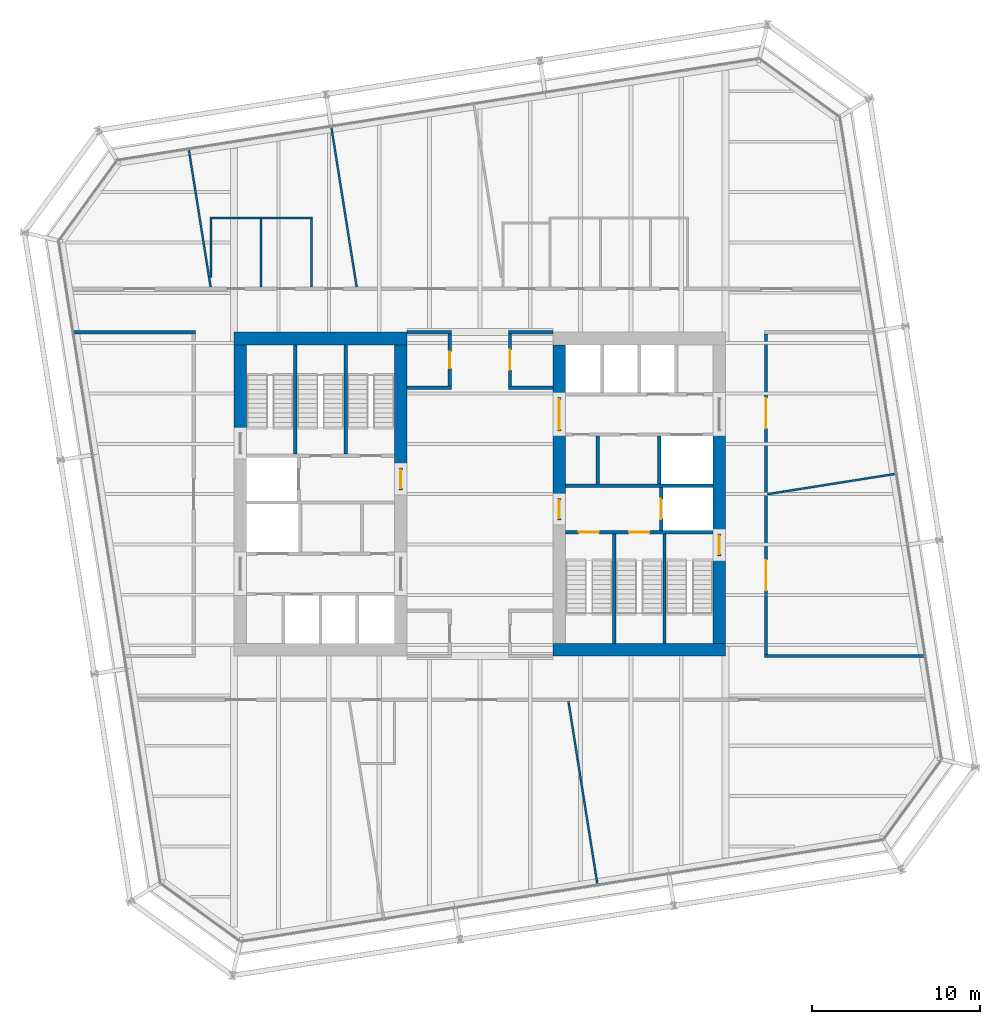
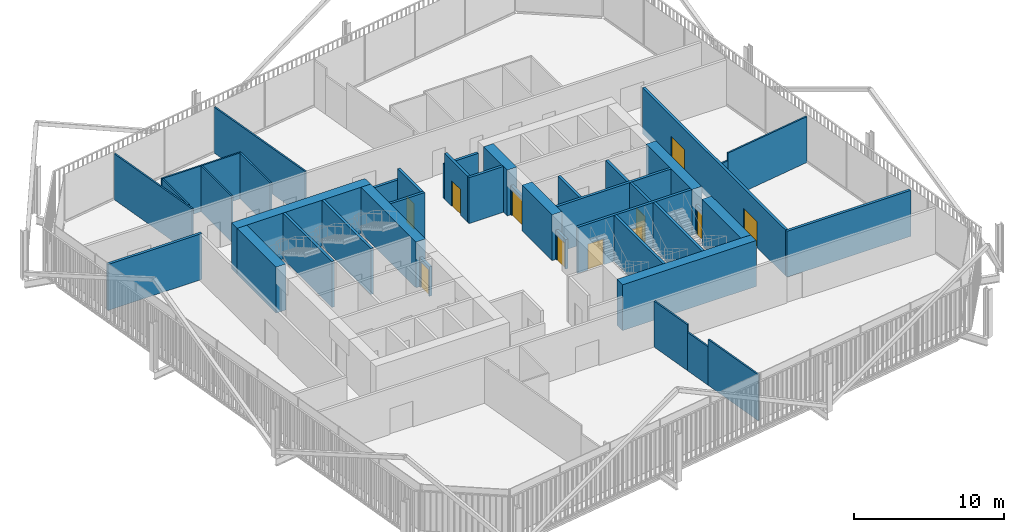
# One storey, part 19 of 22: 41 walls, 11 doors, 11 openings.
"""IFC4 building model written with IfcOpenShell, lengths in metres."""

from ifc_helpers import new_model, si_unit, direction, frame, frame_2d, origin, place, context, subcontext, project, spatial, rectangle, extrude, material, layer, layer_set, type_object, element, fill, save


model = new_model("IFC4")

# Units and contexts
model_context = context("Model", 3, precision=1e-05, world=origin(), true_north=direction((0.0, 1.0)))
body_context = subcontext(model_context, "Body", "Model", "MODEL_VIEW")
ifc_project = project(units=[si_unit("LENGTHUNIT", "METRE"), si_unit("AREAUNIT", "SQUARE_METRE"), si_unit("VOLUMEUNIT", "CUBIC_METRE"), si_unit("PLANEANGLEUNIT", "RADIAN"), si_unit("MASSUNIT", "GRAM", prefix="KILO")], contexts=[model_context])

# Site, building, storey
site_placement = place(None, origin())
site = spatial("IfcSite", under=ifc_project, at=site_placement, CompositionType="ELEMENT")
building_placement = place(site_placement, origin())
building = spatial("IfcBuilding", under=site, at=building_placement, Name="Millrace Tower", CompositionType="ELEMENT")
storey_placement = place(building_placement, frame((0.0, 0.0, 187.800048828125)))
storey = spatial("IfcBuildingStorey", under=building, at=storey_placement, Name="L42", CompositionType="ELEMENT", Elevation=187.800048828125)

# Walls
ifc_material_1 = material(Name="Concrete C70", Category="concrete")
ifc_layer_1 = layer(ifc_material_1, 0.75)
ifc_layer_set_1 = layer_set([ifc_layer_1], Name="Concrete C70")
wall_type_1 = type_object("IfcWallType", Name="Core wall 750 Concrete C70", PredefinedType="SHEAR", material=ifc_layer_set_1)
wall_1_placement = place(storey_placement, frame((-14.64990234375, 9.27490234375, 0.0), z_axis=(0.0, 0.0, 1.0), x_axis=(1.0, 0.0, 0.0)))
element("IfcWall", 1, at=wall_1_placement, inside=storey, type_object=wall_type_1, Name="Core wall W L42", PredefinedType="SHEAR", context=body_context, shape_type="SweptSolid", body=[
    extrude(rectangle(XDim=10.2998046875, YDim=0.75, at=frame_2d((5.14990234375, 0.0))), origin(), (0.0, 0.0, 1.0), 3.739990234375),
])
wall_2_placement = place(storey_placement, frame((-14.27490234375, 3.679931640625, 0.0), z_axis=(0.0, 0.0, 1.0), x_axis=(0.0, 1.0, 0.0)))
element("IfcWall", 2, at=wall_2_placement, inside=storey, type_object=wall_type_1, Name="Core wall W L42", PredefinedType="SHEAR", context=body_context, shape_type="SweptSolid", body=[
    extrude(rectangle(XDim=5.219970703125, YDim=0.75, at=frame_2d((2.60986328125, 0.0))), origin(), (0.0, 0.0, 1.0), 3.739990234375),
])
wall_3_placement = place(storey_placement, frame((-4.72509765625, 1.550048828125, 0.0), z_axis=(0.0, 0.0, 1.0), x_axis=(0.0, 1.0, 0.0)))
element("IfcWall", 3, at=wall_3_placement, inside=storey, type_object=wall_type_1, Name="Core wall W L42", PredefinedType="SHEAR", context=body_context, shape_type="SweptSolid", body=[
    extrude(rectangle(XDim=7.349853515625, YDim=0.75, at=frame_2d((3.6748046875, 0.0))), origin(), (0.0, 0.0, 1.0), 3.739990234375),
])
wall_4_placement = place(storey_placement, frame((14.64990234375, -9.27490234375, 0.0), z_axis=(0.0, 0.0, 1.0), x_axis=(-1.0, 0.0, 0.0)))
element("IfcWall", 4, at=wall_4_placement, inside=storey, type_object=wall_type_1, Name="Core wall E L42", PredefinedType="SHEAR", context=body_context, shape_type="SweptSolid", body=[
    extrude(rectangle(XDim=10.2998046875, YDim=0.75, at=frame_2d((5.14990234375, 0.0))), origin(), (0.0, 0.0, 1.0), 3.739990234375),
])
wall_5_placement = place(storey_placement, frame((14.27490234375, 3.75, 0.0), z_axis=(0.0, 0.0, 1.0), x_axis=(0.0, -1.0, 0.0)))
element("IfcWall", 5, at=wall_5_placement, inside=storey, type_object=wall_type_1, Name="Core wall E L42", PredefinedType="SHEAR", context=body_context, shape_type="SweptSolid", body=[
    extrude(rectangle(XDim=6.1298828125, YDim=0.75, at=frame_2d((3.06494140625, 0.0))), origin(), (0.0, 0.0, 1.0), 3.739990234375),
])
wall_6_placement = place(storey_placement, frame((14.27490234375, -3.679931640625, 0.0), z_axis=(0.0, 0.0, 1.0), x_axis=(0.0, -1.0, 0.0)))
element("IfcWall", 6, at=wall_6_placement, inside=storey, type_object=wall_type_1, Name="Core wall E L42", PredefinedType="SHEAR", context=body_context, shape_type="SweptSolid", body=[
    extrude(rectangle(XDim=5.219970703125, YDim=0.75, at=frame_2d((2.60986328125, 0.0))), origin(), (0.0, 0.0, 1.0), 3.739990234375),
])
wall_7_placement = place(storey_placement, frame((4.72509765625, 8.89990234375, 0.0), z_axis=(0.0, 0.0, 1.0), x_axis=(0.0, -1.0, 0.0)))
element("IfcWall", 7, at=wall_7_placement, inside=storey, type_object=wall_type_1, Name="Core wall E L42", PredefinedType="SHEAR", context=body_context, shape_type="SweptSolid", body=[
    extrude(rectangle(XDim=3.14990234375, YDim=0.75, at=frame_2d((1.574951171875, 0.0))), origin(), (0.0, 0.0, 1.0), 3.739990234375),
])
wall_8_placement = place(storey_placement, frame((4.72509765625, 3.75, 0.0), z_axis=(0.0, 0.0, 1.0), x_axis=(0.0, -1.0, 0.0)))
element("IfcWall", 8, at=wall_8_placement, inside=storey, type_object=wall_type_1, Name="Core wall E L42", PredefinedType="SHEAR", context=body_context, shape_type="SweptSolid", body=[
    extrude(rectangle(XDim=4.0, YDim=0.75, at=frame_2d((2.0, 0.0))), origin(), (0.0, 0.0, 1.0), 3.739990234375),
])
ifc_material_2 = material(Name="Masonry partition, fire-rated", Category="masonry")
ifc_layer_2 = layer(ifc_material_2, 0.199951171875)
ifc_layer_set_2 = layer_set([ifc_layer_2], Name="Masonry partition, fire-rated")
wall_type_2 = type_object("IfcWallType", Name="Corridor wall 200", PredefinedType="PARTITIONING", material=ifc_layer_set_2)
wall_9_placement = place(storey_placement, frame((16.949951171875, -9.64990234375, 0.0), z_axis=(0.0, 0.0, 1.0), x_axis=(1.0, 0.0, 0.0)))
element("IfcWall", 9, at=wall_9_placement, inside=storey, type_object=wall_type_2, Name="Corridor wall L42", PredefinedType="PARTITIONING", context=body_context, shape_type="SweptSolid", body=[
    extrude(rectangle(XDim=9.54638671875, YDim=0.199951171875, at=frame_2d((4.773193359375, 0.0))), origin(), (0.0, 0.0, 1.0), 3.739990234375),
])
for number, where, z_axis, x_axis, name in (
    (10, (-4.35009765625, 6.35009765625, 0.0), (0.0, 0.0, 1.0), (1.0, 0.0, 0.0), "Corridor wall L42"),
    (11, (1.699951171875, 6.35009765625, 0.0), (0.0, 0.0, 1.0), (1.0, 0.0, 0.0), "Corridor wall L42"),
):
    element("IfcWall", number, at=place(storey_placement, frame(where, z_axis=z_axis, x_axis=x_axis)), inside=storey, type_object=wall_type_2, Name=name, PredefinedType="PARTITIONING", context=body_context, shape_type="SweptSolid", body=[
        extrude(rectangle(XDim=2.650146484375, YDim=0.199951171875, at=frame_2d((1.3251953125, 0.0))), origin(), (0.0, 0.0, 1.0), 3.739990234375),
    ])
wall_10_placement = place(storey_placement, frame((-24.20703125, 9.64990234375, 0.0), z_axis=(0.0, 0.0, 1.0), x_axis=(1.0, 0.0, 0.0)))
element("IfcWall", 12, at=wall_10_placement, inside=storey, type_object=wall_type_2, Name="Corridor wall L42", PredefinedType="PARTITIONING", context=body_context, shape_type="SweptSolid", body=[
    extrude(rectangle(XDim=7.257080078125, YDim=0.199951171875, at=frame_2d((3.62841796875, 0.0))), origin(), (0.0, 0.0, 1.0), 3.739990234375),
])
for number, where, z_axis, x_axis, name in (
    (13, (-4.35009765625, 9.64990234375, 0.0), (0.0, 0.0, 1.0), (1.0, 0.0, 0.0), "Corridor wall L42"),
    (14, (1.699951171875, 9.64990234375, 0.0), (0.0, 0.0, 1.0), (1.0, 0.0, 0.0), "Corridor wall L42"),
):
    element("IfcWall", number, at=place(storey_placement, frame(where, z_axis=z_axis, x_axis=x_axis)), inside=storey, type_object=wall_type_2, Name=name, PredefinedType="PARTITIONING", context=body_context, shape_type="SweptSolid", body=[
        extrude(rectangle(XDim=2.650146484375, YDim=0.199951171875, at=frame_2d((1.3251953125, 0.0))), origin(), (0.0, 0.0, 1.0), 2.812744140625),
    ])

# Wall, openings, doors
wall_11_placement = place(storey_placement, frame((17.050048828125, -9.550048828125, 0.0), z_axis=(0.0, 0.0, 1.0), x_axis=(0.0, 1.0, 0.0)))
wall_11 = element("IfcWall", 15, at=wall_11_placement, inside=storey, type_object=wall_type_2, Name="Corridor wall L42", PredefinedType="PARTITIONING", context=body_context, shape_type="SweptSolid", body=[
    extrude(rectangle(XDim=19.10009765625, YDim=0.199951171875, at=frame_2d((9.550048828125, 0.0))), origin(), (0.0, 0.0, 1.0), 3.739990234375),
])
opening_1_placement = place(wall_11_placement, frame((3.81689453125, 0.0, 0.0)))
opening_1 = element("IfcOpeningElement", 16, at=opening_1_placement, cuts=wall_11, Name="Opening 42-P012", PredefinedType="OPENING", context=body_context, shape_type="SweptSolid", body=[
    extrude(rectangle(XDim=1.800048828125, YDim=2.10009765625, at=frame_2d((0.89990234375, 1.050048828125))), frame((0.0, 0.10986328125, 0.0), z_axis=(0.0, -1.0, 0.0), x_axis=(1.0, 0.0, 0.0)), (0.0, 0.0, 1.0), 0.219970703125),
])
opening_2_placement = place(wall_11_placement, frame((13.467041015625, 0.0, 0.0)))
opening_2 = element("IfcOpeningElement", 17, at=opening_2_placement, cuts=wall_11, Name="Opening 42-P013", PredefinedType="OPENING", context=body_context, shape_type="SweptSolid", body=[
    extrude(rectangle(XDim=1.800048828125, YDim=2.10009765625, at=frame_2d((0.89990234375, 1.050048828125))), frame((0.0, 0.10986328125, 0.0), z_axis=(0.0, -1.0, 0.0), x_axis=(1.0, 0.0, 0.0)), (0.0, 0.0, 1.0), 0.219970703125),
])
ifc_material_3 = material(Name="Steel door set, fire-rated", Category="steel")
door_type_1 = type_object("IfcDoorType", Name="Corridor door 1800 x 2100", OperationType="DOUBLE_DOOR_SINGLE_SWING", PredefinedType="DOOR", material=ifc_material_3)
door_1_placement = place(opening_1_placement, frame((1.800048828125, 0.0, 0.0), z_axis=(0.0, 0.0, 1.0), x_axis=(-1.0, 0.0, 0.0)))
door_1 = element("IfcDoor", 18, at=door_1_placement, inside=storey, type_object=door_type_1, Name="Door 42-P012", OperationType="DOUBLE_DOOR_SINGLE_SWING", OverallHeight=2.10009765625, OverallWidth=1.800048828125, PredefinedType="DOOR", context=body_context, shape_type="SweptSolid", body=[
    extrude(rectangle(XDim=1.800048828125, YDim=2.10009765625, at=frame_2d((0.89990234375, 1.050048828125))), frame((0.0, 0.02490234375, 0.0), z_axis=(0.0, -1.0, 0.0), x_axis=(1.0, 0.0, 0.0)), (0.0, 0.0, 1.0), 0.050048828125),
])
fill(opening_1, door_1)
door_2_placement = place(opening_2_placement, frame((1.800048828125, 0.0, 0.0), z_axis=(0.0, 0.0, 1.0), x_axis=(-1.0, 0.0, 0.0)))
door_2 = element("IfcDoor", 19, at=door_2_placement, inside=storey, type_object=door_type_1, Name="Door 42-P013", OperationType="DOUBLE_DOOR_SINGLE_SWING", OverallHeight=2.10009765625, OverallWidth=1.800048828125, PredefinedType="DOOR", context=body_context, shape_type="SweptSolid", body=[
    extrude(rectangle(XDim=1.800048828125, YDim=2.10009765625, at=frame_2d((0.89990234375, 1.050048828125))), frame((0.0, 0.02490234375, 0.0), z_axis=(0.0, -1.0, 0.0), x_axis=(1.0, 0.0, 0.0)), (0.0, 0.0, 1.0), 0.050048828125),
])
fill(opening_2, door_2)

# Wall, opening, door
wall_12_placement = place(storey_placement, frame((1.800048828125, 6.449951171875, 0.0), z_axis=(0.0, 0.0, 1.0), x_axis=(0.0, 1.0, 0.0)))
wall_12 = element("IfcWall", 20, at=wall_12_placement, inside=storey, type_object=wall_type_2, Name="Corridor wall L42", PredefinedType="PARTITIONING", context=body_context, shape_type="SweptSolid", body=[
    extrude(rectangle(XDim=3.10009765625, YDim=0.199951171875, at=frame_2d((1.550048828125, 0.0))), origin(), (0.0, 0.0, 1.0), 3.739990234375),
])
opening_3_placement = place(wall_12_placement, frame((0.949951171875, 0.0, 0.0)))
opening_3 = element("IfcOpeningElement", 21, at=opening_3_placement, cuts=wall_12, Name="Opening 42-P002", PredefinedType="OPENING", context=body_context, shape_type="SweptSolid", body=[
    extrude(rectangle(XDim=1.199951171875, YDim=2.10009765625, at=frame_2d((0.60009765625, 1.050048828125))), frame((0.0, 0.10986328125, 0.0), z_axis=(0.0, -1.0, 0.0), x_axis=(1.0, 0.0, 0.0)), (0.0, 0.0, 1.0), 0.219970703125),
])
ifc_material_4 = material(Name="Steel door set, fire-rated", Category="steel")
door_type_2 = type_object("IfcDoorType", Name="Corridor door 1200 x 2100", OperationType="SINGLE_SWING_LEFT", PredefinedType="DOOR", material=ifc_material_4)
door_3_placement = place(opening_3_placement, frame((1.199951171875, 0.0, 0.0), z_axis=(0.0, 0.0, 1.0), x_axis=(-1.0, 0.0, 0.0)))
door_3 = element("IfcDoor", 22, at=door_3_placement, inside=storey, type_object=door_type_2, Name="Door 42-P002", OperationType="SINGLE_SWING_LEFT", OverallHeight=2.10009765625, OverallWidth=1.199951171875, PredefinedType="DOOR", context=body_context, shape_type="SweptSolid", body=[
    extrude(rectangle(XDim=1.199951171875, YDim=2.10009765625, at=frame_2d((0.60009765625, 1.050048828125))), frame((0.0, 0.02490234375, 0.0), z_axis=(0.0, -1.0, 0.0), x_axis=(1.0, 0.0, 0.0)), (0.0, 0.0, 1.0), 0.050048828125),
])
fill(opening_3, door_3)

wall_13_placement = place(storey_placement, frame((-1.800048828125, 6.449951171875, 0.0), z_axis=(0.0, 0.0, 1.0), x_axis=(0.0, 1.0, 0.0)))
wall_13 = element("IfcWall", 23, at=wall_13_placement, inside=storey, type_object=wall_type_2, Name="Corridor wall L42", PredefinedType="PARTITIONING", context=body_context, shape_type="SweptSolid", body=[
    extrude(rectangle(XDim=3.10009765625, YDim=0.199951171875, at=frame_2d((1.550048828125, 0.0))), origin(), (0.0, 0.0, 1.0), 3.739990234375),
])
opening_4_placement = place(wall_13_placement, frame((1.050048828125, 0.0, 0.0)))
opening_4 = element("IfcOpeningElement", 24, at=opening_4_placement, cuts=wall_13, Name="Opening 42-P001", PredefinedType="OPENING", context=body_context, shape_type="SweptSolid", body=[
    extrude(rectangle(XDim=1.0, YDim=2.10009765625, at=frame_2d((0.5, 1.050048828125))), frame((0.0, 0.10986328125, 0.0), z_axis=(0.0, -1.0, 0.0), x_axis=(1.0, 0.0, 0.0)), (0.0, 0.0, 1.0), 0.219970703125),
])
ifc_material_5 = material(Name="Steel door set, fire-rated", Category="steel")
door_type_3 = type_object("IfcDoorType", Name="Corridor door 1000 x 2100", OperationType="SINGLE_SWING_LEFT", PredefinedType="DOOR", material=ifc_material_5)
door_4_placement = place(opening_4_placement, origin())
door_4 = element("IfcDoor", 25, at=door_4_placement, inside=storey, type_object=door_type_3, Name="Door 42-P001", OperationType="SINGLE_SWING_RIGHT", OverallHeight=2.10009765625, OverallWidth=1.0, PredefinedType="DOOR", context=body_context, shape_type="SweptSolid", body=[
    extrude(rectangle(XDim=1.0, YDim=2.10009765625, at=frame_2d((0.5, 1.050048828125))), frame((0.0, 0.02490234375, 0.0), z_axis=(0.0, -1.0, 0.0), x_axis=(1.0, 0.0, 0.0)), (0.0, 0.0, 1.0), 0.050048828125),
])
fill(opening_4, door_4)

# Wall
ifc_material_6 = material(Name="Masonry partition, fire-rated", Category="masonry")
ifc_layer_3 = layer(ifc_material_6, 0.199951171875)
ifc_layer_set_3 = layer_set([ifc_layer_3], Name="Masonry partition, fire-rated")
wall_type_3 = type_object("IfcWallType", Name="Lift shaft wall 200", PredefinedType="PARTITIONING", material=ifc_layer_set_3)
wall_14_placement = place(storey_placement, frame((13.89990234375, 0.5, 0.0), z_axis=(0.0, 0.0, 1.0), x_axis=(-1.0, 0.0, 0.0)))
element("IfcWall", 26, at=wall_14_placement, inside=storey, type_object=wall_type_3, Name="Lift shaft wall E L42", PredefinedType="PARTITIONING", context=body_context, shape_type="SweptSolid", body=[
    extrude(rectangle(XDim=8.7998046875, YDim=0.199951171875, at=frame_2d((4.39990234375, 0.0))), origin(), (0.0, 0.0, 1.0), 3.739990234375),
])

# Wall, opening, door
wall_15_placement = place(storey_placement, frame((10.800048828125, 0.39990234375, 0.0), z_axis=(0.0, 0.0, 1.0), x_axis=(0.0, -1.0, 0.0)))
wall_15 = element("IfcWall", 27, at=wall_15_placement, inside=storey, type_object=wall_type_3, Name="Lift shaft wall E L42", PredefinedType="PARTITIONING", context=body_context, shape_type="SweptSolid", body=[
    extrude(rectangle(XDim=2.579833984375, YDim=0.199951171875, at=frame_2d((1.2900390625, 0.0))), origin(), (0.0, 0.0, 1.0), 3.739990234375),
])
opening_5_placement = place(wall_15_placement, frame((0.68994140625, 0.0, 0.0)))
opening_5 = element("IfcOpeningElement", 28, at=opening_5_placement, cuts=wall_15, Name="Opening 42-LD16", PredefinedType="OPENING", context=body_context, shape_type="SweptSolid", body=[
    extrude(rectangle(XDim=1.199951171875, YDim=2.10009765625, at=frame_2d((0.60009765625, 1.050048828125))), frame((0.0, 0.10986328125, 0.0), z_axis=(0.0, -1.0, 0.0), x_axis=(1.0, 0.0, 0.0)), (0.0, 0.0, 1.0), 0.219970703125),
])
ifc_material_7 = material(Name="Stainless steel, fire-rated", Category="steel")
door_type_4 = type_object("IfcDoorType", Name="Lift landing door 1200 x 2100", OperationType="DOUBLE_DOOR_SLIDING", PredefinedType="DOOR", material=ifc_material_7)
door_5_placement = place(opening_5_placement, origin())
door_5 = element("IfcDoor", 29, at=door_5_placement, inside=storey, type_object=door_type_4, Name="Lift landing door LF16 L42", OperationType="DOUBLE_DOOR_SLIDING", OverallHeight=2.10009765625, OverallWidth=1.199951171875, PredefinedType="DOOR", context=body_context, shape_type="SweptSolid", body=[
    extrude(rectangle(XDim=1.199951171875, YDim=2.10009765625, at=frame_2d((0.60009765625, 1.050048828125))), frame((0.0, 0.02490234375, 0.0), z_axis=(0.0, -1.0, 0.0), x_axis=(1.0, 0.0, 0.0)), (0.0, 0.0, 1.0), 0.050048828125),
])
fill(opening_5, door_5)

# Wall
wall_16_placement = place(storey_placement, frame((10.699951171875, 3.449951171875, 0.0), z_axis=(0.0, 0.0, 1.0), x_axis=(0.0, -1.0, 0.0)))
element("IfcWall", 30, at=wall_16_placement, inside=storey, type_object=wall_type_3, Name="Lift shaft wall E L42", PredefinedType="PARTITIONING", context=body_context, shape_type="SweptSolid", body=[
    extrude(rectangle(XDim=2.849853515625, YDim=0.199951171875, at=frame_2d((1.4248046875, 0.0))), origin(), (0.0, 0.0, 1.0), 3.739990234375),
])

# Wall, opening, door
ifc_material_8 = material(Name="Masonry partition, fire-rated", Category="masonry")
ifc_layer_4 = layer(ifc_material_8, 0.199951171875)
ifc_layer_set_4 = layer_set([ifc_layer_4], Name="Masonry partition, fire-rated")
wall_type_4 = type_object("IfcWallType", Name="Lobby wall 200", PredefinedType="PARTITIONING", material=ifc_layer_set_4)
wall_17_placement = place(storey_placement, frame((-4.72509765625, 0.25, 0.0), z_axis=(0.0, 0.0, 1.0), x_axis=(0.0, 1.0, 0.0)))
wall_17 = element("IfcWall", 31, at=wall_17_placement, inside=storey, type_object=wall_type_4, Name="Lobby wall W L42", PredefinedType="PARTITIONING", context=body_context, shape_type="SweptSolid", body=[
    extrude(rectangle(XDim=1.300048828125, YDim=0.199951171875, at=frame_2d((0.64990234375, 0.0))), origin(), (0.0, 0.0, 1.0), 2.39990234375),
])
opening_6_placement = place(wall_17_placement, frame((0.10009765625, 0.0, 0.0)))
opening_6 = element("IfcOpeningElement", 32, at=opening_6_placement, cuts=wall_17, Name="Opening 42-C004", PredefinedType="OPENING", context=body_context, shape_type="SweptSolid", body=[
    extrude(rectangle(XDim=1.10009765625, YDim=2.10009765625, at=frame_2d((0.550048828125, 1.050048828125))), frame((0.0, 0.10986328125, 0.0), z_axis=(0.0, -1.0, 0.0), x_axis=(1.0, 0.0, 0.0)), (0.0, 0.0, 1.0), 0.219970703125),
])
ifc_material_9 = material(Name="Steel door, fire-rated", Category="steel")
door_type_5 = type_object("IfcDoorType", Name="Lobby door 1100 x 2100", OperationType="SINGLE_SWING_LEFT", PredefinedType="DOOR", material=ifc_material_9)
door_6_placement = place(opening_6_placement, origin())
door_6 = element("IfcDoor", 33, at=door_6_placement, inside=storey, type_object=door_type_5, Name="Lobby door 42-C004", OperationType="SINGLE_SWING_RIGHT", OverallHeight=2.10009765625, OverallWidth=1.10009765625, PredefinedType="DOOR", context=body_context, shape_type="SweptSolid", body=[
    extrude(rectangle(XDim=1.10009765625, YDim=2.10009765625, at=frame_2d((0.550048828125, 1.050048828125))), frame((0.0, 0.02490234375, 0.0), z_axis=(0.0, -1.0, 0.0), x_axis=(1.0, 0.0, 0.0)), (0.0, 0.0, 1.0), 0.050048828125),
])
fill(opening_6, door_6)

wall_18_placement = place(storey_placement, frame((4.72509765625, 5.75, 0.0), z_axis=(0.0, 0.0, 1.0), x_axis=(0.0, -1.0, 0.0)))
wall_18 = element("IfcWall", 34, at=wall_18_placement, inside=storey, type_object=wall_type_4, Name="Lobby wall E L42", PredefinedType="PARTITIONING", context=body_context, shape_type="SweptSolid", body=[
    extrude(rectangle(XDim=2.0, YDim=0.199951171875, at=frame_2d((1.0, 0.0))), origin(), (0.0, 0.0, 1.0), 2.39990234375),
])
opening_7_placement = place(wall_18_placement, frame((0.10009765625, 0.0, 0.0)))
opening_7 = element("IfcOpeningElement", 35, at=opening_7_placement, cuts=wall_18, Name="Opening 42-C012", PredefinedType="OPENING", context=body_context, shape_type="SweptSolid", body=[
    extrude(rectangle(XDim=1.800048828125, YDim=2.10009765625, at=frame_2d((0.89990234375, 1.050048828125))), frame((0.0, 0.10986328125, 0.0), z_axis=(0.0, -1.0, 0.0), x_axis=(1.0, 0.0, 0.0)), (0.0, 0.0, 1.0), 0.219970703125),
])
ifc_material_10 = material(Name="Steel door, fire-rated", Category="steel")
door_type_6 = type_object("IfcDoorType", Name="Lobby door 1800 x 2100", OperationType="DOUBLE_DOOR_SINGLE_SWING", PredefinedType="DOOR", material=ifc_material_10)
door_7_placement = place(opening_7_placement, origin())
door_7 = element("IfcDoor", 36, at=door_7_placement, inside=storey, type_object=door_type_6, Name="Lobby door 42-C012", OperationType="DOUBLE_DOOR_SINGLE_SWING", OverallHeight=2.10009765625, OverallWidth=1.800048828125, PredefinedType="DOOR", context=body_context, shape_type="SweptSolid", body=[
    extrude(rectangle(XDim=1.800048828125, YDim=2.10009765625, at=frame_2d((0.89990234375, 1.050048828125))), frame((0.0, 0.02490234375, 0.0), z_axis=(0.0, -1.0, 0.0), x_axis=(1.0, 0.0, 0.0)), (0.0, 0.0, 1.0), 0.050048828125),
])
fill(opening_7, door_7)

wall_19_placement = place(storey_placement, frame((4.72509765625, -0.25, 0.0), z_axis=(0.0, 0.0, 1.0), x_axis=(0.0, -1.0, 0.0)))
wall_19 = element("IfcWall", 37, at=wall_19_placement, inside=storey, type_object=wall_type_4, Name="Lobby wall E L42", PredefinedType="PARTITIONING", context=body_context, shape_type="SweptSolid", body=[
    extrude(rectangle(XDim=1.300048828125, YDim=0.199951171875, at=frame_2d((0.64990234375, 0.0))), origin(), (0.0, 0.0, 1.0), 2.39990234375),
])
opening_8_placement = place(wall_19_placement, frame((0.10009765625, 0.0, 0.0)))
opening_8 = element("IfcOpeningElement", 38, at=opening_8_placement, cuts=wall_19, Name="Opening 42-C013", PredefinedType="OPENING", context=body_context, shape_type="SweptSolid", body=[
    extrude(rectangle(XDim=1.10009765625, YDim=2.10009765625, at=frame_2d((0.550048828125, 1.050048828125))), frame((0.0, 0.10986328125, 0.0), z_axis=(0.0, -1.0, 0.0), x_axis=(1.0, 0.0, 0.0)), (0.0, 0.0, 1.0), 0.219970703125),
])
door_8_placement = place(opening_8_placement, origin())
door_8 = element("IfcDoor", 39, at=door_8_placement, inside=storey, type_object=door_type_5, Name="Lobby door 42-C013", OperationType="SINGLE_SWING_LEFT", OverallHeight=2.10009765625, OverallWidth=1.10009765625, PredefinedType="DOOR", context=body_context, shape_type="SweptSolid", body=[
    extrude(rectangle(XDim=1.10009765625, YDim=2.10009765625, at=frame_2d((0.550048828125, 1.050048828125))), frame((0.0, 0.02490234375, 0.0), z_axis=(0.0, -1.0, 0.0), x_axis=(1.0, 0.0, 0.0)), (0.0, 0.0, 1.0), 0.050048828125),
])
fill(opening_8, door_8)

# Walls
ifc_material_11 = material(Name="Gypsum board partition")
ifc_layer_5 = layer(ifc_material_11, 0.1201171875)
ifc_layer_set_5 = layer_set([ifc_layer_5], Name="Gypsum board partition")
wall_type_5 = type_object("IfcWallType", Name="Partition wall 120", PredefinedType="PARTITIONING", material=ifc_layer_set_5)
wall_20_placement = place(storey_placement, frame((-17.345703125, 20.535888671875, 0.0), z_axis=(0.0, 0.0, 1.0), x_axis=(0.156484349296, -0.987680438414, 0.0)))
element("IfcWall", 40, at=wall_20_placement, inside=storey, type_object=wall_type_5, Name="Partition wall L42", PredefinedType="PARTITIONING", context=body_context, shape_type="SweptSolid", body=[
    extrude(rectangle(XDim=8.2890625, YDim=0.1201171875, at=frame_2d((4.14453125, 0.0))), origin(), (0.0, 0.0, 1.0), 3.739990234375),
])
wall_21_placement = place(storey_placement, frame((-8.851806640625, 21.88134765625, 0.0), z_axis=(0.0, 0.0, 1.0), x_axis=(0.156480845836, -0.987680993482, 0.0)))
element("IfcWall", 41, at=wall_21_placement, inside=storey, type_object=wall_type_5, Name="Partition wall L42", PredefinedType="PARTITIONING", context=body_context, shape_type="SweptSolid", body=[
    extrude(rectangle(XDim=9.6513671875, YDim=0.1201171875, at=frame_2d((4.82568359375, 0.0))), origin(), (0.0, 0.0, 1.0), 3.739990234375),
])
wall_22_placement = place(storey_placement, frame((5.27783203125, -12.3486328125, 0.0), z_axis=(0.0, 0.0, 1.0), x_axis=(0.156480856271, -0.987680991829, 0.0)))
element("IfcWall", 42, at=wall_22_placement, inside=storey, type_object=wall_type_5, Name="Partition wall L42", PredefinedType="PARTITIONING", context=body_context, shape_type="SweptSolid", body=[
    extrude(rectangle(XDim=3.50732421875, YDim=0.1201171875, at=frame_2d((1.753662109375, 0.0))), origin(), (0.0, 0.0, 1.0), 3.739990234375),
])
wall_23_placement = place(storey_placement, frame((5.82666015625, -15.812744140625, 0.0), z_axis=(0.0, 0.0, 1.0), x_axis=(0.156375374173, -0.987697697857, 0.0)))
element("IfcWall", 43, at=wall_23_placement, inside=storey, type_object=wall_type_5, Name="Partition wall L42", PredefinedType="PARTITIONING", context=body_context, shape_type="SweptSolid", body=[
    extrude(rectangle(XDim=2.217041015625, YDim=0.1201171875, at=frame_2d((1.1083984375, 0.0))), origin(), (0.0, 0.0, 1.0), 3.1328125),
])
wall_24_placement = place(storey_placement, frame((6.17333984375, -18.00244140625, 0.0), z_axis=(0.0, 0.0, 1.0), x_axis=(0.156486008291, -0.987680175568, 0.0)))
element("IfcWall", 44, at=wall_24_placement, inside=storey, type_object=wall_type_5, Name="Partition wall L42", PredefinedType="PARTITIONING", context=body_context, shape_type="SweptSolid", body=[
    extrude(rectangle(XDim=5.31689453125, YDim=0.1201171875, at=frame_2d((2.658447265625, 0.0))), origin(), (0.0, 0.0, 1.0), 3.739990234375),
])
wall_25_placement = place(storey_placement, frame((-16.093017578125, 16.449951171875, 0.0), z_axis=(0.0, 0.0, 1.0), x_axis=(1.0, 0.0, 0.0)))
element("IfcWall", 45, at=wall_25_placement, inside=storey, type_object=wall_type_5, Name="Partition wall L42", PredefinedType="PARTITIONING", context=body_context, shape_type="SweptSolid", body=[
    extrude(rectangle(XDim=6.1201171875, YDim=0.1201171875, at=frame_2d((3.06005859375, 0.0))), origin(), (0.0, 0.0, 1.0), 3.739990234375),
])
wall_26_placement = place(storey_placement, frame((17.148681640625, -0.000244140625, 0.0), z_axis=(0.0, 0.0, 1.0), x_axis=(0.987721262279, 0.156226463961, 0.0)))
element("IfcWall", 46, at=wall_26_placement, inside=storey, type_object=wall_type_5, Name="Partition wall L42", PredefinedType="PARTITIONING", context=body_context, shape_type="SweptSolid", body=[
    extrude(rectangle(XDim=0.9501953125, YDim=0.1201171875, at=frame_2d((0.47509765625, 0.0))), origin(), (0.0, 0.0, 1.0), 3.140625),
])
wall_27_placement = place(storey_placement, frame((18.087158203125, 0.148193359375, 0.0), z_axis=(0.0, 0.0, 1.0), x_axis=(0.987686857181, 0.156443830663, 0.0)))
element("IfcWall", 47, at=wall_27_placement, inside=storey, type_object=wall_type_5, Name="Partition wall L42", PredefinedType="PARTITIONING", context=body_context, shape_type="SweptSolid", body=[
    extrude(rectangle(XDim=6.77294921875, YDim=0.1201171875, at=frame_2d((3.386474609375, 0.0))), origin(), (0.0, 0.0, 1.0), 3.739990234375),
])
for number, where, z_axis, x_axis, name in (
    (48, (-10.032958984375, 12.35009765625, 0.0), (0.0, 0.0, 1.0), (0.0, 1.0, 0.0), "Partition wall L42"),
    (49, (-13.032958984375, 12.35009765625, 0.0), (0.0, 0.0, 1.0), (0.0, 1.0, 0.0), "Partition wall L42"),
):
    element("IfcWall", number, at=place(storey_placement, frame(where, z_axis=z_axis, x_axis=x_axis)), inside=storey, type_object=wall_type_5, Name=name, PredefinedType="PARTITIONING", context=body_context, shape_type="SweptSolid", body=[
        extrude(rectangle(XDim=4.039794921875, YDim=0.1201171875, at=frame_2d((2.02001953125, 0.0))), origin(), (0.0, 0.0, 1.0), 3.739990234375),
    ])
wall_28_placement = place(storey_placement, frame((-16.032958984375, 12.91748046875, 0.0), z_axis=(0.0, 0.0, 1.0), x_axis=(0.0, 1.0, 0.0)))
element("IfcWall", 50, at=wall_28_placement, inside=storey, type_object=wall_type_5, Name="Partition wall L42", PredefinedType="PARTITIONING", context=body_context, shape_type="SweptSolid", body=[
    extrude(rectangle(XDim=3.472412109375, YDim=0.1201171875, at=frame_2d((1.736328125, 0.0))), origin(), (0.0, 0.0, 1.0), 3.739990234375),
])
ifc_material_12 = material(Name="Masonry partition, fire-rated", Category="masonry")
ifc_layer_6 = layer(ifc_material_12, 0.199951171875)
ifc_layer_set_6 = layer_set([ifc_layer_6], Name="Masonry partition, fire-rated")
wall_type_6 = type_object("IfcWallType", Name="Room partition 200", PredefinedType="PARTITIONING", material=ifc_layer_set_6)
wall_29_placement = place(storey_placement, frame((7.02490234375, 3.449951171875, 0.0), z_axis=(0.0, 0.0, 1.0), x_axis=(0.0, -1.0, 0.0)))
element("IfcWall", 51, at=wall_29_placement, inside=storey, type_object=wall_type_6, Name="Room partition E L42", PredefinedType="PARTITIONING", context=body_context, shape_type="SweptSolid", body=[
    extrude(rectangle(XDim=2.849853515625, YDim=0.199951171875, at=frame_2d((1.4248046875, 0.0))), origin(), (0.0, 0.0, 1.0), 3.739990234375),
])
ifc_material_13 = material(Name="Concrete C40", Category="concrete")
ifc_layer_7 = layer(ifc_material_13, 0.199951171875)
ifc_layer_set_7 = layer_set([ifc_layer_7], Name="Concrete C40")
wall_type_7 = type_object("IfcWallType", Name="Stair enclosure wall 200 Concrete C40", PredefinedType="SHEAR", material=ifc_layer_set_7)
for number, where, z_axis, x_axis, name in (
    (52, (-11.0, 2.3798828125, 0.0), (0.0, 0.0, 1.0), (0.0, 1.0, 0.0), "Stair enclosure wall W L42"),
    (53, (-8.0, 2.3798828125, 0.0), (0.0, 0.0, 1.0), (0.0, 1.0, 0.0), "Stair enclosure wall W L42"),
):
    element("IfcWall", number, at=place(storey_placement, frame(where, z_axis=z_axis, x_axis=x_axis)), inside=storey, type_object=wall_type_7, Name=name, PredefinedType="SHEAR", context=body_context, shape_type="SweptSolid", body=[
        extrude(rectangle(XDim=6.52001953125, YDim=0.199951171875, at=frame_2d((3.260009765625, 0.0))), origin(), (0.0, 0.0, 1.0), 3.739990234375),
    ])

# Wall, opening, door
wall_30_placement = place(storey_placement, frame((14.27490234375, -2.3798828125, 0.0), z_axis=(0.0, 0.0, 1.0), x_axis=(0.0, -1.0, 0.0)))
wall_30 = element("IfcWall", 54, at=wall_30_placement, inside=storey, type_object=wall_type_7, Name="Stair enclosure wall E L42", PredefinedType="SHEAR", context=body_context, shape_type="SweptSolid", body=[
    extrude(rectangle(XDim=1.300048828125, YDim=0.199951171875, at=frame_2d((0.64990234375, 0.0))), origin(), (0.0, 0.0, 1.0), 2.39990234375),
])
opening_9_placement = place(wall_30_placement, frame((0.10009765625, 0.0, 0.0)))
opening_9 = element("IfcOpeningElement", 55, at=opening_9_placement, cuts=wall_30, Name="Opening 42-C011", PredefinedType="OPENING", context=body_context, shape_type="SweptSolid", body=[
    extrude(rectangle(XDim=1.10009765625, YDim=2.10009765625, at=frame_2d((0.550048828125, 1.050048828125))), frame((0.0, 0.10986328125, 0.0), z_axis=(0.0, -1.0, 0.0), x_axis=(1.0, 0.0, 0.0)), (0.0, 0.0, 1.0), 0.219970703125),
])
ifc_material_14 = material(Name="Steel door, fire-rated", Category="steel")
door_type_7 = type_object("IfcDoorType", Name="Stair door 1100 x 2100", OperationType="SINGLE_SWING_LEFT", PredefinedType="DOOR", material=ifc_material_14)
door_9_placement = place(opening_9_placement, origin())
door_9 = element("IfcDoor", 56, at=door_9_placement, inside=storey, type_object=door_type_7, Name="Stair door 42-C011", OperationType="SINGLE_SWING_RIGHT", OverallHeight=2.10009765625, OverallWidth=1.10009765625, PredefinedType="DOOR", context=body_context, shape_type="SweptSolid", body=[
    extrude(rectangle(XDim=1.10009765625, YDim=2.10009765625, at=frame_2d((0.550048828125, 1.050048828125))), frame((0.0, 0.02490234375, 0.0), z_axis=(0.0, -1.0, 0.0), x_axis=(1.0, 0.0, 0.0)), (0.0, 0.0, 1.0), 0.050048828125),
])
fill(opening_9, door_9)

# Wall, openings, doors
wall_31_placement = place(storey_placement, frame((13.89990234375, -2.280029296875, 0.0), z_axis=(0.0, 0.0, 1.0), x_axis=(-1.0, 0.0, 0.0)))
wall_31 = element("IfcWall", 57, at=wall_31_placement, inside=storey, type_object=wall_type_7, Name="Stair enclosure wall E L42", PredefinedType="SHEAR", context=body_context, shape_type="SweptSolid", body=[
    extrude(rectangle(XDim=8.7998046875, YDim=0.199951171875, at=frame_2d((4.39990234375, 0.0))), origin(), (0.0, 0.0, 1.0), 3.739990234375),
])
opening_10_placement = place(wall_31_placement, frame((3.800048828125, 0.0, 0.0)))
opening_10 = element("IfcOpeningElement", 58, at=opening_10_placement, cuts=wall_31, Name="Opening 42-C017", PredefinedType="OPENING", context=body_context, shape_type="SweptSolid", body=[
    extrude(rectangle(XDim=1.199951171875, YDim=2.10009765625, at=frame_2d((0.60009765625, 1.050048828125))), frame((0.0, 0.10986328125, 0.0), z_axis=(0.0, -1.0, 0.0), x_axis=(1.0, 0.0, 0.0)), (0.0, 0.0, 1.0), 0.219970703125),
])
opening_11_placement = place(wall_31_placement, frame((6.800048828125, 0.0, 0.0)))
opening_11 = element("IfcOpeningElement", 59, at=opening_11_placement, cuts=wall_31, Name="Opening 42-C018", PredefinedType="OPENING", context=body_context, shape_type="SweptSolid", body=[
    extrude(rectangle(XDim=1.199951171875, YDim=2.10009765625, at=frame_2d((0.60009765625, 1.050048828125))), frame((0.0, 0.10986328125, 0.0), z_axis=(0.0, -1.0, 0.0), x_axis=(1.0, 0.0, 0.0)), (0.0, 0.0, 1.0), 0.219970703125),
])
ifc_material_15 = material(Name="Steel door, fire-rated", Category="steel")
door_type_8 = type_object("IfcDoorType", Name="Stair door 1200 x 2100", OperationType="SINGLE_SWING_LEFT", PredefinedType="DOOR", material=ifc_material_15)
door_10_placement = place(opening_10_placement, frame((1.199951171875, 0.0, 0.0), z_axis=(0.0, 0.0, 1.0), x_axis=(-1.0, 0.0, 0.0)))
door_10 = element("IfcDoor", 60, at=door_10_placement, inside=storey, type_object=door_type_8, Name="Stair door 42-C017", OperationType="SINGLE_SWING_LEFT", OverallHeight=2.10009765625, OverallWidth=1.199951171875, PredefinedType="DOOR", context=body_context, shape_type="SweptSolid", body=[
    extrude(rectangle(XDim=1.199951171875, YDim=2.10009765625, at=frame_2d((0.60009765625, 1.050048828125))), frame((0.0, 0.02490234375, 0.0), z_axis=(0.0, -1.0, 0.0), x_axis=(1.0, 0.0, 0.0)), (0.0, 0.0, 1.0), 0.050048828125),
])
fill(opening_10, door_10)
door_11_placement = place(opening_11_placement, frame((1.199951171875, 0.0, 0.0), z_axis=(0.0, 0.0, 1.0), x_axis=(-1.0, 0.0, 0.0)))
door_11 = element("IfcDoor", 61, at=door_11_placement, inside=storey, type_object=door_type_8, Name="Stair door 42-C018", OperationType="SINGLE_SWING_LEFT", OverallHeight=2.10009765625, OverallWidth=1.199951171875, PredefinedType="DOOR", context=body_context, shape_type="SweptSolid", body=[
    extrude(rectangle(XDim=1.199951171875, YDim=2.10009765625, at=frame_2d((0.60009765625, 1.050048828125))), frame((0.0, 0.02490234375, 0.0), z_axis=(0.0, -1.0, 0.0), x_axis=(1.0, 0.0, 0.0)), (0.0, 0.0, 1.0), 0.050048828125),
])
fill(opening_11, door_11)

# Walls
for number, where, z_axis, x_axis, name in (
    (62, (11.0, -2.3798828125, 0.0), (0.0, 0.0, 1.0), (0.0, -1.0, 0.0), "Stair enclosure wall E L42"),
    (63, (8.0, -2.3798828125, 0.0), (0.0, 0.0, 1.0), (0.0, -1.0, 0.0), "Stair enclosure wall E L42"),
):
    element("IfcWall", number, at=place(storey_placement, frame(where, z_axis=z_axis, x_axis=x_axis)), inside=storey, type_object=wall_type_7, Name=name, PredefinedType="SHEAR", context=body_context, shape_type="SweptSolid", body=[
        extrude(rectangle(XDim=6.52001953125, YDim=0.199951171875, at=frame_2d((3.260009765625, 0.0))), origin(), (0.0, 0.0, 1.0), 3.739990234375),
    ])

save(model, "model.ifc")
